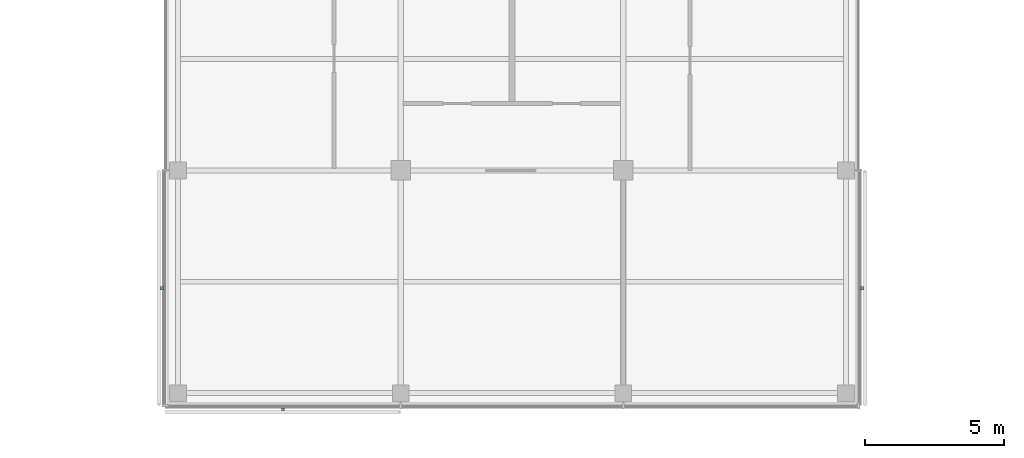
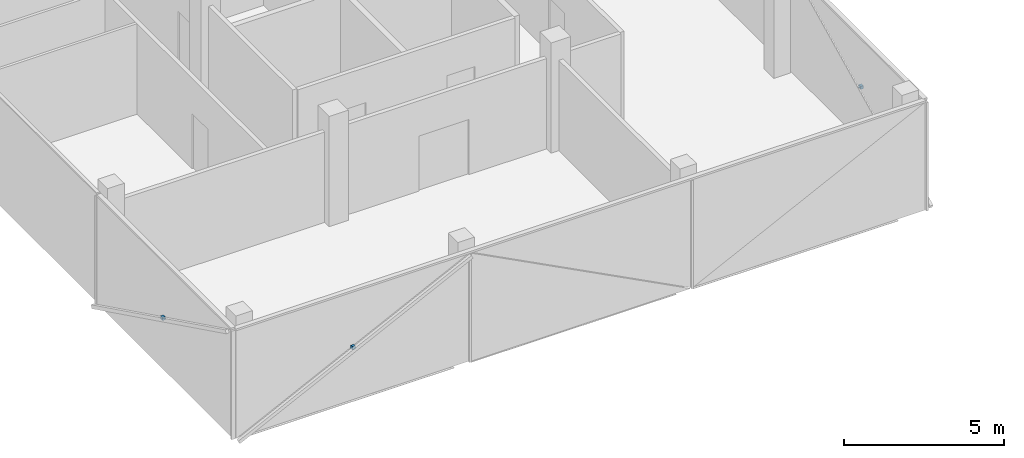
# One storey, part 14 of 16: 3 discrete accessories.
"""IFC4 building model written with IfcOpenShell, lengths in metres."""

import ifcopenshell
import ifcopenshell.guid

model = None  # the IFC model being written
_history = None  # IfcOwnerHistory: only IFC2X3 demands one
_inside = {}  # id of a spatial element -> (the spatial element, [elements in it])
_under = {}  # id of a project, library or spatial element -> (it, [spatial elements below it])
_declared = {}  # id of a project -> (the project, [libraries it declares])
_typed = {}  # id of a type object -> (the type object, [elements of that type])
_made_of = {}  # id of a material, layer set ... -> (it, [elements and type objects made of it])


def new_model(schema):
    """Start an empty IFC model of exactly this schema.

    Asked for "IFC4X3", IfcOpenShell would pick the latest addendum, in which some entities
    have other attributes; the version numbers below select the first issue.
    IFC2X3 requires an IfcOwnerHistory on every rooted entity: one is made here for all.
    """
    global model, _history
    if schema == "IFC4X3":
        model = ifcopenshell.file(schema_version=(4, 3, 0, 0))
    else:
        model = ifcopenshell.file(schema=schema)
    _inside.clear()
    _under.clear()
    _declared.clear()
    _typed.clear()
    _made_of.clear()
    _history = None
    if model.schema == "IFC2X3":
        org = make("IfcOrganization", Name="unknown")
        user = make(
            "IfcPersonAndOrganization",
            ThePerson=make("IfcPerson", FamilyName="unknown"),
            TheOrganization=org,
        )
        app = make(
            "IfcApplication",
            ApplicationDeveloper=org,
            Version="unknown",
            ApplicationFullName="unknown",
            ApplicationIdentifier="unknown",
        )
        _history = make(
            "IfcOwnerHistory",
            OwningUser=user,
            OwningApplication=app,
            ChangeAction="ADDED",
            CreationDate=0,
        )
    return model


def make(cls, **values):
    """One entity of the class cls with the attributes given. An attribute that is None is left unset."""
    return model.create_entity(
        cls, **{name: value for name, value in values.items() if value is not None}
    )


def rooted(cls, **values):
    """An entity with a GlobalId (a new one), such as an element, a storey or a relation."""
    return make(cls, GlobalId=ifcopenshell.guid.new(), OwnerHistory=_history, **values)


def si_unit(unit_type, name, prefix=None):
    """IfcSIUnit, for example si_unit("LENGTHUNIT", "METRE", prefix="MILLI")."""
    return make("IfcSIUnit", UnitType=unit_type, Prefix=prefix, Name=name)


def assignment(units):
    """IfcUnitAssignment: the units of a project."""
    return None if units is None else make("IfcUnitAssignment", Units=units)


def point(xyz):
    """IfcCartesianPoint."""
    return None if xyz is None else make("IfcCartesianPoint", Coordinates=xyz)


def direction(xyz):
    """IfcDirection."""
    return None if xyz is None else make("IfcDirection", DirectionRatios=xyz)


def frame(location, z_axis=None, x_axis=None):
    """IfcAxis2Placement3D, a coordinate frame: its origin and axes. An axis left out is left unset."""
    return make(
        "IfcAxis2Placement3D",
        Location=point(location),
        Axis=direction(z_axis),
        RefDirection=direction(x_axis),
    )


def frame_2d(location, x_axis=None):
    """IfcAxis2Placement2D, a coordinate frame in the plane: its origin and x axis."""
    return make(
        "IfcAxis2Placement2D", Location=point(location), RefDirection=direction(x_axis)
    )


def origin():
    """The frame at (0, 0, 0) with its axes left unset."""
    return frame((0.0, 0.0, 0.0))


def origin_2d():
    """The frame at (0, 0) in the plane with its x axis left unset."""
    return frame_2d((0.0, 0.0))


def place(relative_to, where):
    """IfcLocalPlacement: puts the frame where relative to a parent placement (None: the world)."""
    return make(
        "IfcLocalPlacement", PlacementRelTo=relative_to, RelativePlacement=where
    )


def context(
    kind, dimensions, precision=None, world=None, true_north=None, identifier=None
):
    """IfcGeometricRepresentationContext, for example the 3D "Model" context."""
    return make(
        "IfcGeometricRepresentationContext",
        ContextIdentifier=identifier,
        ContextType=kind,
        CoordinateSpaceDimension=dimensions,
        Precision=precision,
        WorldCoordinateSystem=world,
        TrueNorth=true_north,
    )


def subcontext(parent, identifier, kind, view, scale=None):
    """IfcGeometricRepresentationSubContext, for example "Body" below "Model"."""
    return make(
        "IfcGeometricRepresentationSubContext",
        ContextIdentifier=identifier,
        ContextType=kind,
        ParentContext=parent,
        TargetScale=scale,
        TargetView=view,
    )


def project(units=None, contexts=None):
    """IfcProject with its units and contexts."""
    return rooted(
        "IfcProject",
        Name="project",
        RepresentationContexts=contexts,
        UnitsInContext=assignment(units),
    )


def spatial(cls, under=None, at=None, **own):
    """A site, building, storey or space (cls), placed at a placement, below another one or the project."""
    s = rooted(cls, ObjectPlacement=at, **own)
    if under is not None:
        _under.setdefault(under.id(), (under, []))[1].append(s)
    return s


def profile(cls, at=None, kind="AREA", **sizes):
    """A parametric profile (cls). Its sizes go by their IFC names, for example OverallWidth=200.0."""
    return make(cls, ProfileType=kind, Position=at, **sizes)


def rectangle(**sizes):
    """IfcRectangleProfileDef."""
    return profile("IfcRectangleProfileDef", **sizes)


def extrude(swept, where, along, depth):
    """IfcExtrudedAreaSolid: the profile swept, set in the frame where, extruded along a direction by depth."""
    return make(
        "IfcExtrudedAreaSolid",
        SweptArea=swept,
        Position=where,
        ExtrudedDirection=direction(along),
        Depth=depth,
    )


def shape(context_of_items, identifier, shape_type, items):
    """IfcShapeRepresentation: the items that make up one representation, for example the "Body"."""
    return make(
        "IfcShapeRepresentation",
        ContextOfItems=context_of_items,
        RepresentationIdentifier=identifier,
        RepresentationType=shape_type,
        Items=items,
    )


def material(Name=None, Category=None):
    """IfcMaterial."""
    return make("IfcMaterial", Name=Name, Category=Category)


def made_of(thing, what):
    """Note that an element or type object is made of a material, layer set ...; save() writes the relation."""
    if what is not None:
        _made_of.setdefault(what.id(), (what, []))[1].append(thing)
    return thing


def type_object(cls, material=None, **own):
    """A type object (cls), such as IfcWallType, which elements share."""
    return made_of(rooted(cls, **own), material)


def element(
    cls,
    number,
    at=None,
    inside=None,
    cuts=None,
    type_object=None,
    material=None,
    context=None,
    identifier="Body",
    shape_type=None,
    held_by="IfcProductDefinitionShape",
    body=None,
    shapes=None,
    **own,
):
    """One element of the class cls, such as IfcWall. Its Tag is "e" and its number.

    at: its placement. inside: the storey or other place that contains it. cuts: it is an
    opening in that element (IfcRelVoidsElement). A single representation is given by context,
    identifier, shape_type and body (its items); several are given by shapes. held_by: the class
    of the entity that holds the representations. save() writes the other relations.
    """
    e = rooted(cls, Tag="e%d" % number, ObjectPlacement=at, **own)
    if body is not None:
        shapes = [shape(context, identifier, shape_type, body)]
    if shapes is not None:
        e.Representation = make(held_by, Representations=shapes)
    if inside is not None:
        _inside.setdefault(inside.id(), (inside, []))[1].append(e)
    if cuts is not None:
        rooted(
            "IfcRelVoidsElement", RelatingBuildingElement=cuts, RelatedOpeningElement=e
        )
    if type_object is not None:
        _typed.setdefault(type_object.id(), (type_object, []))[1].append(e)
    return made_of(e, material)


def aggregate(whole, parts):
    """IfcRelAggregates: a whole, such as a stair, and the parts it consists of."""
    return rooted("IfcRelAggregates", RelatingObject=whole, RelatedObjects=parts)


def save(model, path):
    """Write the relations noted so far, then the file.

    IfcRelAggregates (storeys below a building ...), IfcRelContainedInSpatialStructure (elements
    in a storey), IfcRelDefinesByType, IfcRelAssociatesMaterial and IfcRelDeclares: one each for
    every whole, place, type object, material and project.
    """
    for whole, parts in _under.values():
        aggregate(whole, parts)
    for where, things in _inside.values():
        rooted(
            "IfcRelContainedInSpatialStructure",
            RelatedElements=things,
            RelatingStructure=where,
        )
    for kind, things in _typed.values():
        rooted("IfcRelDefinesByType", RelatedObjects=things, RelatingType=kind)
    for what, things in _made_of.values():
        rooted("IfcRelAssociatesMaterial", RelatedObjects=things, RelatingMaterial=what)
    for by, libraries in _declared.values():
        rooted("IfcRelDeclares", RelatingContext=by, RelatedDefinitions=libraries)
    model.write(path)


model = new_model("IFC4")

# Units and contexts
model_context = context("Model", 3, precision=1e-05, world=origin(), true_north=direction((0.0, 1.0)))
body_context = subcontext(model_context, "Body", "Model", "MODEL_VIEW")
ifc_project = project(units=[si_unit("LENGTHUNIT", "METRE"), si_unit("AREAUNIT", "SQUARE_METRE"), si_unit("VOLUMEUNIT", "CUBIC_METRE"), si_unit("PLANEANGLEUNIT", "RADIAN"), si_unit("MASSUNIT", "GRAM", prefix="KILO")], contexts=[model_context])

# Site, building, storey
site_placement = place(None, origin())
site = spatial("IfcSite", under=ifc_project, at=site_placement, CompositionType="ELEMENT")
building_placement = place(site_placement, origin())
building = spatial("IfcBuilding", under=site, at=building_placement, Name="Crosswind Convention Tower", CompositionType="ELEMENT")
storey_placement = place(building_placement, frame((0.0, 0.0, 274.5)))
storey = spatial("IfcBuildingStorey", under=building, at=storey_placement, Name="L59", CompositionType="ELEMENT", Elevation=274.5)

# Discrete accessories
ifc_material = material(Name="Stainless steel", Category="steel")
discrete_accessory_type = type_object("IfcDiscreteAccessoryType", Name="BAGUETTE BRACKET BK3", PredefinedType="BRACKET", material=ifc_material)
for number, where, z_axis, x_axis, name in (
    (1, (112.424072265625, 75.77001953125, 1.704833984375), (0.0, 0.0, 1.0), (0.0, -1.0, 0.0), "BK3 baguette bracket"),
    (2, (116.77001953125, 71.424072265625, 1.704833984375), (0.0, 0.0, 1.0), (1.0, 0.0, 0.0), "BK3 baguette bracket"),
    (3, (137.575927734375, 75.77001953125, 1.704833984375), (0.0, 0.0, 1.0), (0.0, 1.0, 0.0), "BK3 baguette bracket"),
):
    element("IfcDiscreteAccessory", number, at=place(storey_placement, frame(where, z_axis=z_axis, x_axis=x_axis)), inside=storey, type_object=discrete_accessory_type, Name=name, PredefinedType="BRACKET", context=body_context, shape_type="SweptSolid", body=[
        extrude(rectangle(XDim=0.1201171875, YDim=0.10009765625, at=origin_2d()), origin(), (0.0, 0.0, 1.0), 0.1201171875),
    ])

save(model, "model.ifc")
